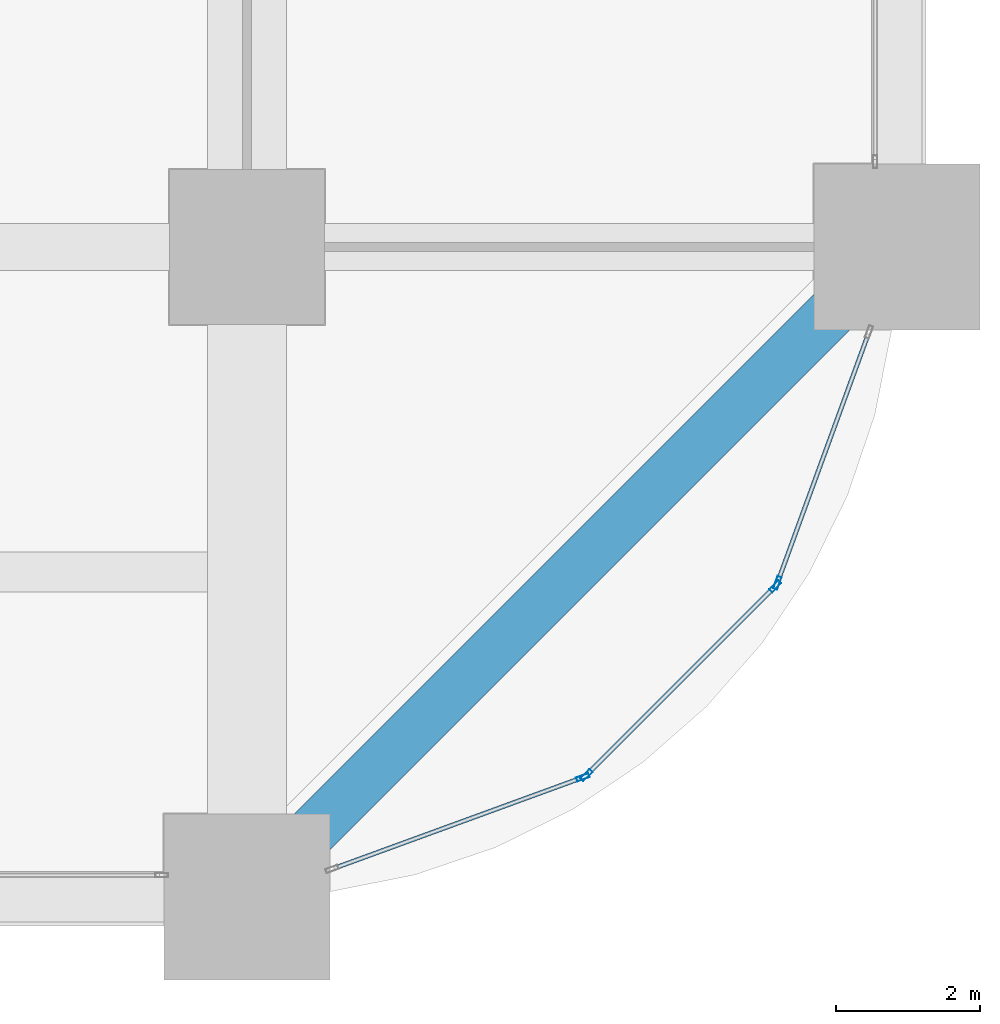
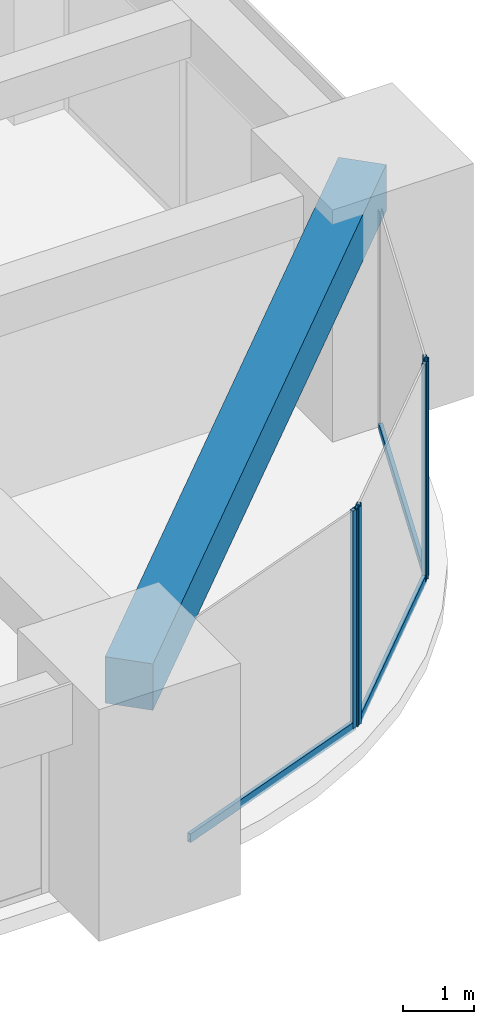
# One storey, part 16 of 44: 7 members, 1 beam, 3 elements without a shape of their own.
"""IFC4 building model written with IfcOpenShell, lengths in metres."""

from ifc_helpers import new_model, si_unit, direction, frame, origin, origin_2d, place, context, subcontext, project, spatial, rectangle, hollow_rectangle, extrude, material, material_profile, profile_set, type_object, element, aggregate, save


model = new_model("IFC4")

# Units and contexts
model_context = context("Model", 3, precision=1e-05, world=origin(), true_north=direction((0.0, 1.0)))
body_context = subcontext(model_context, "Body", "Model", "MODEL_VIEW")
ifc_project = project(units=[si_unit("LENGTHUNIT", "METRE"), si_unit("AREAUNIT", "SQUARE_METRE"), si_unit("VOLUMEUNIT", "CUBIC_METRE"), si_unit("PLANEANGLEUNIT", "RADIAN"), si_unit("MASSUNIT", "GRAM", prefix="KILO")], contexts=[model_context])

# Site, building, storey
site_placement = place(None, origin())
site = spatial("IfcSite", under=ifc_project, at=site_placement, CompositionType="ELEMENT")
building_placement = place(site_placement, origin())
building = spatial("IfcBuilding", under=site, at=building_placement, Name="Zorevar Civic Tower", CompositionType="ELEMENT")
storey_placement = place(building_placement, frame((0.0, 0.0, 59.800048828125)))
storey = spatial("IfcBuildingStorey", under=building, at=storey_placement, Name="L14", CompositionType="ELEMENT", Elevation=59.800048828125)

# Curtain wall, member
ifc_material_1 = material(Name="Dark grey solar-control glass in black aluminium frame", Category="aluminium")
curtain_wall_type = type_object("IfcCurtainWallType", Name="Curtain wall CW2 low zone", PredefinedType="NOTDEFINED", material=ifc_material_1)
curtain_wall_1_placement = place(storey_placement, origin())
curtain_wall_1 = element("IfcCurtainWall", 1, at=curtain_wall_1_placement, inside=storey, type_object=curtain_wall_type, Name="CW2 L14", PredefinedType="NOTDEFINED")
ifc_material_2 = material(Name="Aluminium, black anodised", Category="aluminium")
ifc_material_profile_1 = material_profile(ifc_material_2, hollow_rectangle(XDim=0.06005859375, YDim=0.179931640625, WallThickness=0.00390625, at=origin_2d()), Name="AL 180x60x4")
ifc_profile_set_1 = profile_set([ifc_material_profile_1], Name="Aluminium, black anodised")
member_type_1 = type_object("IfcMemberType", Name="CW2 mullion AL 180x60x4", PredefinedType="MULLION", material=ifc_profile_set_1)
member_1_placement = place(storey_placement, frame((58.650390625, 1.65478515625, 0.0), z_axis=(0.0, 0.0, 1.0), x_axis=(-0.343060400701, 0.939313345732, 0.0)))
member_1 = element("IfcMember", 2, at=member_1_placement, type_object=member_type_1, Name="CW2 mullion 2", PredefinedType="MULLION", context=body_context, shape_type="SweptSolid", body=[
    extrude(hollow_rectangle(XDim=0.06005859375, YDim=0.179931640625, WallThickness=0.00390625, at=origin_2d()), origin(), (0.0, 0.0, 1.0), 3.75),
])

# Curtain wall, members
curtain_wall_2_placement = place(storey_placement, origin())
curtain_wall_2 = element("IfcCurtainWall", 3, at=curtain_wall_2_placement, inside=storey, type_object=curtain_wall_type, Name="CW2 L14", PredefinedType="NOTDEFINED")
member_2_placement = place(storey_placement, frame((58.69970703125, 1.686279296875, 0.0), z_axis=(0.0, 0.0, 1.0), x_axis=(-0.707106781187, 0.707106781187, 0.0)))
member_2 = element("IfcMember", 4, at=member_2_placement, type_object=member_type_1, Name="CW2 mullion 1", PredefinedType="MULLION", context=body_context, shape_type="SweptSolid", body=[
    extrude(hollow_rectangle(XDim=0.06005859375, YDim=0.179931640625, WallThickness=0.00390625, at=origin_2d()), origin(), (0.0, 0.0, 1.0), 3.75),
])
member_3_placement = place(storey_placement, frame((61.313720703125, 4.30029296875, 0.0), z_axis=(0.0, 0.0, 1.0), x_axis=(-0.707106781187, 0.707106781187, 0.0)))
member_3 = element("IfcMember", 5, at=member_3_placement, type_object=member_type_1, Name="CW2 mullion 2", PredefinedType="MULLION", context=body_context, shape_type="SweptSolid", body=[
    extrude(hollow_rectangle(XDim=0.06005859375, YDim=0.179931640625, WallThickness=0.00390625, at=origin_2d()), origin(), (0.0, 0.0, 1.0), 3.75),
])

# Curtain wall, member
curtain_wall_3_placement = place(storey_placement, origin())
curtain_wall_3 = element("IfcCurtainWall", 6, at=curtain_wall_3_placement, inside=storey, type_object=curtain_wall_type, Name="CW2 L14", PredefinedType="NOTDEFINED")
member_4_placement = place(storey_placement, frame((61.34521484375, 4.349609375, 0.0), z_axis=(0.0, 0.0, 1.0), x_axis=(-0.939313345732, 0.343060400701, 0.0)))
member_4 = element("IfcMember", 7, at=member_4_placement, type_object=member_type_1, Name="CW2 mullion 1", PredefinedType="MULLION", context=body_context, shape_type="SweptSolid", body=[
    extrude(hollow_rectangle(XDim=0.06005859375, YDim=0.179931640625, WallThickness=0.00390625, at=origin_2d()), origin(), (0.0, 0.0, 1.0), 3.75),
])

# Member
ifc_material_3 = material(Name="Aluminium, black anodised", Category="aluminium")
ifc_material_profile_2 = material_profile(ifc_material_3, hollow_rectangle(XDim=0.06005859375, YDim=0.14990234375, WallThickness=0.00390625, at=origin_2d()), Name="AL 150x60x4")
ifc_profile_set_2 = profile_set([ifc_material_profile_2], Name="Aluminium, black anodised")
member_type_2 = type_object("IfcMemberType", Name="CW2 transom AL 150x60x4", PredefinedType="USERDEFINED", material=ifc_profile_set_2)
member_5_placement = place(storey_placement, frame((55.206298828125, 0.39697265625, 0.030029296875), z_axis=(0.939318180432, 0.343047162808, 0.0), x_axis=(-0.343047162808, 0.939318180432, 0.0)))
member_5 = element("IfcMember", 8, at=member_5_placement, type_object=member_type_2, Name="CW2 sill transom", ObjectType="TRANSOM", PredefinedType="USERDEFINED", context=body_context, shape_type="SweptSolid", body=[
    extrude(hollow_rectangle(XDim=0.06005859375, YDim=0.14990234375, WallThickness=0.00390625, at=origin_2d()), origin(), (0.0, 0.0, 1.0), 3.63671875),
])

aggregate(curtain_wall_1, [member_1, member_5])

member_6_placement = place(storey_placement, frame((58.720947265625, 1.70751953125, 0.030029296875), z_axis=(0.707106781187, 0.707106781187, 0.0), x_axis=(-0.707106781187, 0.707106781187, 0.0)))
member_6 = element("IfcMember", 9, at=member_6_placement, type_object=member_type_2, Name="CW2 sill transom", ObjectType="TRANSOM", PredefinedType="USERDEFINED", context=body_context, shape_type="SweptSolid", body=[
    extrude(hollow_rectangle(XDim=0.06005859375, YDim=0.14990234375, WallThickness=0.00390625, at=origin_2d()), origin(), (0.0, 0.0, 1.0), 3.63671875),
])

aggregate(curtain_wall_2, [member_2, member_3, member_6])

member_7_placement = place(storey_placement, frame((61.35546875, 4.377685546875, 0.030029296875), z_axis=(0.343047162808, 0.939318180432, 0.0), x_axis=(-0.939318180432, 0.343047162808, 0.0)))
member_7 = element("IfcMember", 10, at=member_7_placement, type_object=member_type_2, Name="CW2 sill transom", ObjectType="TRANSOM", PredefinedType="USERDEFINED", context=body_context, shape_type="SweptSolid", body=[
    extrude(hollow_rectangle(XDim=0.06005859375, YDim=0.14990234375, WallThickness=0.00390625, at=origin_2d()), origin(), (0.0, 0.0, 1.0), 3.63671875),
])

aggregate(curtain_wall_3, [member_4, member_7])

# Beam
ifc_material_4 = material(Name="Concrete C50/60", Category="concrete")
ifc_material_profile_3 = material_profile(ifc_material_4, rectangle(XDim=0.699951171875, YDim=0.800048828125, at=origin_2d()), Name="RC 700x800")
ifc_profile_set_3 = profile_set([ifc_material_profile_3], Name="Concrete C50/60")
beam_type = type_object("IfcBeamType", Name="Edge beam RC 700x800", PredefinedType="SPANDREL", material=ifc_profile_set_3)
beam_placement = place(storey_placement, frame((54.0, 0.0, 3.349853515625), z_axis=(0.707106781187, 0.707106781187, 0.0), x_axis=(-0.707106781187, 0.707106781187, 0.0)))
element("IfcBeam", 11, at=beam_placement, inside=storey, type_object=beam_type, Name="Corner edge beam L15", PredefinedType="SPANDREL", context=body_context, shape_type="SweptSolid", body=[
    extrude(rectangle(XDim=0.699951171875, YDim=0.800048828125, at=origin_2d()), origin(), (0.0, 0.0, 1.0), 12.72802734375),
])

save(model, "model.ifc")
